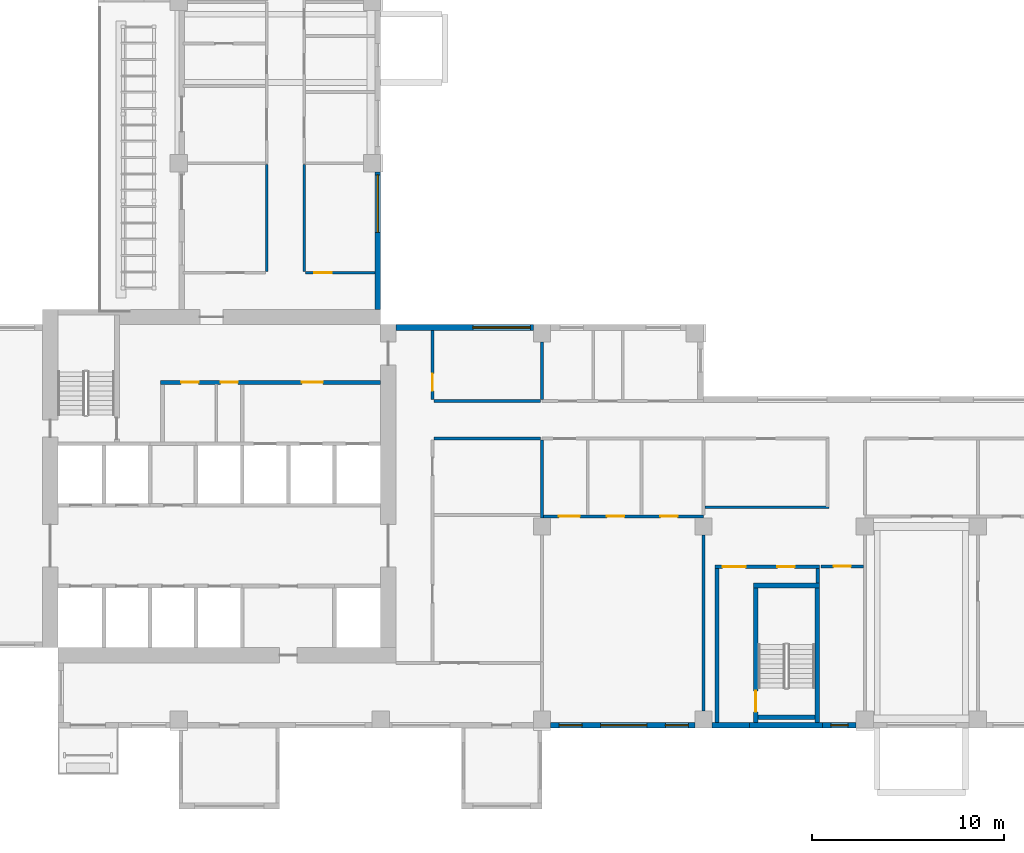
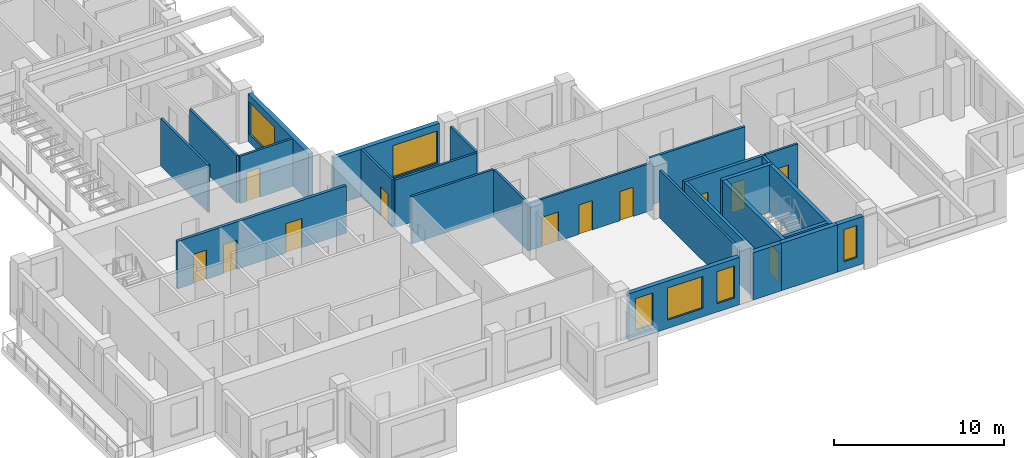
# One storey, part 6 of 14: 26 walls, 12 doors, 6 windows, 18 openings.
"""IFC4 building model written with IfcOpenShell, lengths in metres."""

from ifc_helpers import new_model, si_unit, direction, frame, frame_2d, origin, place, context, subcontext, project, spatial, rectangle, extrude, source, transform, mapped, material, layer, layer_set, type_object, element, fill, save


model = new_model("IFC4")

# Units and contexts
model_context = context("Model", 3, precision=1e-05, world=origin(), true_north=direction((0.0, 1.0)))
body_context = subcontext(model_context, "Body", "Model", "MODEL_VIEW")
ifc_project = project(units=[si_unit("LENGTHUNIT", "METRE"), si_unit("AREAUNIT", "SQUARE_METRE"), si_unit("VOLUMEUNIT", "CUBIC_METRE"), si_unit("PLANEANGLEUNIT", "RADIAN"), si_unit("MASSUNIT", "GRAM", prefix="KILO")], contexts=[model_context])

# Site, building, storey
site_placement = place(None, origin())
site = spatial("IfcSite", under=ifc_project, at=site_placement, CompositionType="ELEMENT")
building_placement = place(site_placement, origin())
building = spatial("IfcBuilding", under=site, at=building_placement, Name="Aurelian Terraces", CompositionType="ELEMENT")
storey_placement = place(building_placement, frame((0.0, 0.0, 185.4)))
storey = spatial("IfcBuildingStorey", under=building, at=storey_placement, Name="L40", CompositionType="ELEMENT", Elevation=185.4)

# Wall, opening, window
ifc_material_1 = material(Name="Terracotta rainscreen cladding", Category="masonry")
ifc_layer_1 = layer(ifc_material_1, 0.3)
ifc_layer_set_1 = layer_set([ifc_layer_1], Name="EW-300")
wall_type_1 = type_object("IfcWallType", Name="EW-300", PredefinedType="STANDARD", material=ifc_layer_set_1)
shared_shape_1 = source(origin(), body_context, "Body", "SweptSolid", [
    extrude(rectangle(XDim=7.15, YDim=0.3, at=frame_2d((3.575, 0.0))), origin(), (0.0, 0.0, 1.0), 3.4),
])
wall_1_placement = place(storey_placement, frame((28.95, 20.85, 0.0), z_axis=(0.0, 0.0, 1.0), x_axis=(-1.0, 0.0, 0.0)))
wall_1 = element("IfcWall", 1, at=wall_1_placement, inside=storey, type_object=wall_type_1, Name="External wall L40 F07.18", PredefinedType="STANDARD", context=body_context, shape_type="MappedRepresentation", body=[
    mapped(shared_shape_1, transform((0.0, 0.0, 0.0), scale=1.0)),
])
shared_shape_2 = source(origin(), body_context, "Body", "SweptSolid", [
    extrude(rectangle(XDim=3.0, YDim=2.3, at=frame_2d((1.5, 1.15))), frame((0.0, 0.16, 0.0), z_axis=(0.0, -1.0, 0.0), x_axis=(1.0, 0.0, 0.0)), (0.0, 0.0, 1.0), 0.32),
])
opening_1_placement = place(wall_1_placement, frame((0.15, 0.0, 0.6)))
opening_1 = element("IfcOpeningElement", 2, at=opening_1_placement, cuts=wall_1, Name="Opening W3023", PredefinedType="OPENING", context=body_context, shape_type="MappedRepresentation", body=[
    mapped(shared_shape_2, transform((0.0, 0.0, 0.0), scale=1.0)),
])
ifc_material_2 = material(Name="Clear glazing", Category="glass")
window_type_1 = type_object("IfcWindowType", Name="W-3000x2300", PartitioningType="SINGLE_PANEL", PredefinedType="WINDOW", material=ifc_material_2)
shared_shape_3 = source(origin(), body_context, "Body", "SweptSolid", [
    extrude(rectangle(XDim=3.0, YDim=2.3, at=frame_2d((1.5, 1.15))), frame((0.0, 0.03, 0.0), z_axis=(0.0, -1.0, 0.0), x_axis=(1.0, 0.0, 0.0)), (0.0, 0.0, 1.0), 0.06),
])
window_1_placement = place(opening_1_placement, origin())
window_1 = element("IfcWindow", 3, at=window_1_placement, inside=storey, type_object=window_type_1, Name="Window L40 L40-F07-18-0", OverallHeight=2.3, OverallWidth=3.0, PartitioningType="SINGLE_PANEL", PredefinedType="WINDOW", context=body_context, shape_type="MappedRepresentation", body=[
    mapped(shared_shape_3, transform((0.0, 0.0, 0.0), scale=1.0)),
])
fill(opening_1, window_1)

wall_2_placement = place(storey_placement, frame((20.85, 21.8, 0.0), z_axis=(0.0, 0.0, 1.0), x_axis=(0.0, 1.0, 0.0)))
wall_2 = element("IfcWall", 4, at=wall_2_placement, inside=storey, type_object=wall_type_1, Name="External wall L40 F08.19", PredefinedType="STANDARD", context=body_context, shape_type="MappedRepresentation", body=[
    mapped(shared_shape_1, transform((0.0, 0.0, 0.0), scale=1.0)),
])
opening_2_placement = place(wall_2_placement, frame((4.0, 0.0, 0.6)))
opening_2 = element("IfcOpeningElement", 5, at=opening_2_placement, cuts=wall_2, Name="Opening W3023", PredefinedType="OPENING", context=body_context, shape_type="MappedRepresentation", body=[
    mapped(shared_shape_2, transform((0.0, 0.0, 0.0), scale=1.0)),
])
window_2_placement = place(opening_2_placement, origin())
window_2 = element("IfcWindow", 6, at=window_2_placement, inside=storey, type_object=window_type_1, Name="Window L40 L40-F08-19-1", OverallHeight=2.3, OverallWidth=3.0, PartitioningType="SINGLE_PANEL", PredefinedType="WINDOW", context=body_context, shape_type="MappedRepresentation", body=[
    mapped(shared_shape_3, transform((0.0, 0.0, 0.0), scale=1.0)),
])
fill(opening_2, window_2)

# Wall, openings, windows
shared_shape_4 = source(origin(), body_context, "Body", "SweptSolid", [
    extrude(rectangle(XDim=7.5, YDim=0.3, at=frame_2d((3.75, 0.0))), origin(), (0.0, 0.0, 1.0), 3.4),
])
wall_3_placement = place(storey_placement, frame((29.85, 0.15, 0.0), z_axis=(0.0, 0.0, 1.0), x_axis=(1.0, 0.0, 0.0)))
wall_3 = element("IfcWall", 7, at=wall_3_placement, inside=storey, type_object=wall_type_1, Name="External wall L40 F01.5", PredefinedType="STANDARD", context=body_context, shape_type="MappedRepresentation", body=[
    mapped(shared_shape_4, transform((0.0, 0.0, 0.0), scale=1.0)),
])
shared_shape_5 = source(origin(), body_context, "Body", "SweptSolid", [
    extrude(rectangle(XDim=1.2, YDim=2.3, at=frame_2d((0.6, 1.15))), frame((0.0, 0.16, 0.0), z_axis=(0.0, -1.0, 0.0), x_axis=(1.0, 0.0, 0.0)), (0.0, 0.0, 1.0), 0.32),
])
opening_3_placement = place(wall_3_placement, frame((0.4375, 0.0, 0.6)))
opening_3 = element("IfcOpeningElement", 8, at=opening_3_placement, cuts=wall_3, Name="Opening W1223", PredefinedType="OPENING", context=body_context, shape_type="MappedRepresentation", body=[
    mapped(shared_shape_5, transform((0.0, 0.0, 0.0), scale=1.0)),
])
opening_4_placement = place(wall_3_placement, frame((5.9625, 0.0, 0.6)))
opening_4 = element("IfcOpeningElement", 9, at=opening_4_placement, cuts=wall_3, Name="Opening W1223", PredefinedType="OPENING", context=body_context, shape_type="MappedRepresentation", body=[
    mapped(shared_shape_5, transform((0.0, 0.0, 0.0), scale=1.0)),
])
shared_shape_6 = source(origin(), body_context, "Body", "SweptSolid", [
    extrude(rectangle(XDim=2.4, YDim=2.3, at=frame_2d((1.2, 1.15))), frame((0.0, 0.16, 0.0), z_axis=(0.0, -1.0, 0.0), x_axis=(1.0, 0.0, 0.0)), (0.0, 0.0, 1.0), 0.32),
])
opening_5_placement = place(wall_3_placement, frame((2.6, 0.0, 0.6)))
opening_5 = element("IfcOpeningElement", 10, at=opening_5_placement, cuts=wall_3, Name="Opening W2423", PredefinedType="OPENING", context=body_context, shape_type="MappedRepresentation", body=[
    mapped(shared_shape_6, transform((0.0, 0.0, 0.0), scale=1.0)),
])
window_type_2 = type_object("IfcWindowType", Name="W-1200x2300", PartitioningType="SINGLE_PANEL", PredefinedType="WINDOW", material=ifc_material_2)
shared_shape_7 = source(origin(), body_context, "Body", "SweptSolid", [
    extrude(rectangle(XDim=1.2, YDim=2.3, at=frame_2d((0.6, 1.15))), frame((0.0, 0.03, 0.0), z_axis=(0.0, -1.0, 0.0), x_axis=(1.0, 0.0, 0.0)), (0.0, 0.0, 1.0), 0.06),
])
window_3_placement = place(opening_3_placement, origin())
window_3 = element("IfcWindow", 11, at=window_3_placement, inside=storey, type_object=window_type_2, Name="Window L40 L40-F01-05-0", OverallHeight=2.3, OverallWidth=1.2, PartitioningType="SINGLE_PANEL", PredefinedType="WINDOW", context=body_context, shape_type="MappedRepresentation", body=[
    mapped(shared_shape_7, transform((0.0, 0.0, 0.0), scale=1.0)),
])
fill(opening_3, window_3)
window_4_placement = place(opening_4_placement, origin())
window_4 = element("IfcWindow", 12, at=window_4_placement, inside=storey, type_object=window_type_2, Name="Window L40 L40-F01-05-1", OverallHeight=2.3, OverallWidth=1.2, PartitioningType="SINGLE_PANEL", PredefinedType="WINDOW", context=body_context, shape_type="MappedRepresentation", body=[
    mapped(shared_shape_7, transform((0.0, 0.0, 0.0), scale=1.0)),
])
fill(opening_4, window_4)
window_type_3 = type_object("IfcWindowType", Name="W-2400x2300", PartitioningType="SINGLE_PANEL", PredefinedType="WINDOW", material=ifc_material_2)
shared_shape_8 = source(origin(), body_context, "Body", "SweptSolid", [
    extrude(rectangle(XDim=2.4, YDim=2.3, at=frame_2d((1.2, 1.15))), frame((0.0, 0.03, 0.0), z_axis=(0.0, -1.0, 0.0), x_axis=(1.0, 0.0, 0.0)), (0.0, 0.0, 1.0), 0.06),
])
window_5_placement = place(opening_5_placement, origin())
window_5 = element("IfcWindow", 13, at=window_5_placement, inside=storey, type_object=window_type_3, Name="Window L40 L40-F01-05-G0-21", OverallHeight=2.3, OverallWidth=2.4, PartitioningType="SINGLE_PANEL", PredefinedType="WINDOW", context=body_context, shape_type="MappedRepresentation", body=[
    mapped(shared_shape_8, transform((0.0, 0.0, 0.0), scale=1.0)),
])
fill(opening_5, window_5)

# Walls
shared_shape_9 = source(origin(), body_context, "Body", "SweptSolid", [
    extrude(rectangle(XDim=1.95, YDim=0.3, at=frame_2d((0.975, 0.0))), origin(), (0.0, 0.0, 1.0), 3.4),
])
wall_4_placement = place(storey_placement, frame((38.25, 0.15, 0.0), z_axis=(0.0, 0.0, 1.0), x_axis=(1.0, 0.0, 0.0)))
element("IfcWall", 14, at=wall_4_placement, inside=storey, type_object=wall_type_1, Name="External wall L40 F01.6", PredefinedType="STANDARD", context=body_context, shape_type="MappedRepresentation", body=[
    mapped(shared_shape_9, transform((0.0, 0.0, 0.0), scale=1.0)),
])
ifc_material_3 = material(Name="Concrete fc' 40 MPa", Category="concrete")
ifc_layer_2 = layer(ifc_material_3, 0.3)
ifc_layer_set_2 = layer_set([ifc_layer_2], Name="STAIR BAY WALL 300")
wall_type_2 = type_object("IfcWallType", Name="STAIR BAY WALL 300", PredefinedType="SOLIDWALL", material=ifc_layer_set_2)
shared_shape_10 = source(origin(), body_context, "Body", "SweptSolid", [
    extrude(rectangle(XDim=3.8, YDim=0.3, at=frame_2d((1.9, 0.0))), origin(), (0.0, 0.0, 1.0), 3.4),
])
wall_5_placement = place(storey_placement, frame((40.2, 0.15, 0.0), z_axis=(0.0, 0.0, 1.0), x_axis=(1.0, 0.0, 0.0)))
element("IfcWall", 15, at=wall_5_placement, inside=storey, type_object=wall_type_2, Name="Stair bay wall L40 F01.6", PredefinedType="SOLIDWALL", context=body_context, shape_type="MappedRepresentation", body=[
    mapped(shared_shape_10, transform((0.0, 0.0, 0.0), scale=1.0)),
])

# Wall, opening, window
shared_shape_11 = source(origin(), body_context, "Body", "SweptSolid", [
    extrude(rectangle(XDim=1.75, YDim=0.3, at=frame_2d((0.875, 0.0))), origin(), (0.0, 0.0, 1.0), 3.4),
])
wall_6_placement = place(storey_placement, frame((44.0, 0.15, 0.0), z_axis=(0.0, 0.0, 1.0), x_axis=(1.0, 0.0, 0.0)))
wall_6 = element("IfcWall", 16, at=wall_6_placement, inside=storey, type_object=wall_type_1, Name="External wall L40 F01.6", PredefinedType="STANDARD", context=body_context, shape_type="MappedRepresentation", body=[
    mapped(shared_shape_11, transform((0.0, 0.0, 0.0), scale=1.0)),
])
shared_shape_12 = source(origin(), body_context, "Body", "SweptSolid", [
    extrude(rectangle(XDim=0.9, YDim=2.3, at=frame_2d((0.45, 1.15))), frame((0.0, 0.16, 0.0), z_axis=(0.0, -1.0, 0.0), x_axis=(1.0, 0.0, 0.0)), (0.0, 0.0, 1.0), 0.32),
])
opening_6_placement = place(wall_6_placement, frame((0.425, 0.0, 0.6)))
opening_6 = element("IfcOpeningElement", 17, at=opening_6_placement, cuts=wall_6, Name="Opening W0923", PredefinedType="OPENING", context=body_context, shape_type="MappedRepresentation", body=[
    mapped(shared_shape_12, transform((0.0, 0.0, 0.0), scale=1.0)),
])
window_type_4 = type_object("IfcWindowType", Name="W-900x2300", PartitioningType="SINGLE_PANEL", PredefinedType="WINDOW", material=ifc_material_2)
shared_shape_13 = source(origin(), body_context, "Body", "SweptSolid", [
    extrude(rectangle(XDim=0.9, YDim=2.3, at=frame_2d((0.45, 1.15))), frame((0.0, 0.03, 0.0), z_axis=(0.0, -1.0, 0.0), x_axis=(1.0, 0.0, 0.0)), (0.0, 0.0, 1.0), 0.06),
])
window_6_placement = place(opening_6_placement, origin())
window_6 = element("IfcWindow", 18, at=window_6_placement, inside=storey, type_object=window_type_4, Name="Window L40 L40-F01-06-P2", OverallHeight=2.3, OverallWidth=0.9, PartitioningType="SINGLE_PANEL", PredefinedType="WINDOW", context=body_context, shape_type="MappedRepresentation", body=[
    mapped(shared_shape_13, transform((0.0, 0.0, 0.0), scale=1.0)),
])
fill(opening_6, window_6)

# Wall, opening, door
ifc_layer_3 = layer(ifc_material_3, 0.25)
ifc_layer_set_3 = layer_set([ifc_layer_3], Name="Stair enclosure wall 250")
wall_type_3 = type_object("IfcWallType", Name="Stair enclosure wall 250", PredefinedType="SOLIDWALL", material=ifc_layer_set_3)
shared_shape_14 = source(origin(), body_context, "Body", "SweptSolid", [
    extrude(rectangle(XDim=7.0, YDim=0.25, at=frame_2d((3.5, 0.0))), origin(), (0.0, 0.0, 1.0), 3.4),
])
wall_7_placement = place(storey_placement, frame((40.525, 0.3, 0.0), z_axis=(0.0, 0.0, 1.0), x_axis=(0.0, 1.0, 0.0)))
wall_7 = element("IfcWall", 19, at=wall_7_placement, inside=storey, type_object=wall_type_3, Name="L40 core wall ST-S2-W", PredefinedType="SOLIDWALL", context=body_context, shape_type="MappedRepresentation", body=[
    mapped(shared_shape_14, transform((0.0, 0.0, 0.0), scale=1.0)),
])
shared_shape_15 = source(origin(), body_context, "Body", "SweptSolid", [
    extrude(rectangle(XDim=1.1, YDim=2.1, at=frame_2d((0.55, 1.05))), frame((0.0, 0.135, 0.0), z_axis=(0.0, -1.0, 0.0), x_axis=(1.0, 0.0, 0.0)), (0.0, 0.0, 1.0), 0.27),
])
opening_7_placement = place(wall_7_placement, frame((0.55, 0.0, 0.0)))
opening_7 = element("IfcOpeningElement", 20, at=opening_7_placement, cuts=wall_7, Name="Opening 64315", PredefinedType="OPENING", context=body_context, shape_type="MappedRepresentation", body=[
    mapped(shared_shape_15, transform((0.0, 0.0, 0.0), scale=1.0)),
])
ifc_material_4 = material(Name="Steel door leaf", Category="steel")
door_type_1 = type_object("IfcDoorType", Name="Core fire door 1100x2100", OperationType="SINGLE_SWING_LEFT", PredefinedType="DOOR", material=ifc_material_4)
shared_shape_16 = source(origin(), body_context, "Body", "SweptSolid", [
    extrude(rectangle(XDim=1.1, YDim=2.1, at=frame_2d((0.55, 1.05))), frame((0.0, 0.025, 0.0), z_axis=(0.0, -1.0, 0.0), x_axis=(1.0, 0.0, 0.0)), (0.0, 0.0, 1.0), 0.05),
])
door_1_placement = place(opening_7_placement, origin())
door_1 = element("IfcDoor", 21, at=door_1_placement, inside=storey, type_object=door_type_1, Name="Stair door 64315", OperationType="SINGLE_SWING_LEFT", OverallHeight=2.1, OverallWidth=1.1, PredefinedType="DOOR", context=body_context, shape_type="MappedRepresentation", body=[
    mapped(shared_shape_16, transform((0.0, 0.0, 0.0), scale=1.0)),
])
fill(opening_7, door_1)

# Walls
wall_8_placement = place(storey_placement, frame((43.725, 0.3, 0.0), z_axis=(0.0, 0.0, 1.0), x_axis=(0.0, 1.0, 0.0)))
element("IfcWall", 22, at=wall_8_placement, inside=storey, type_object=wall_type_3, Name="L40 core wall ST-S2-E", PredefinedType="SOLIDWALL", context=body_context, shape_type="MappedRepresentation", body=[
    mapped(shared_shape_14, transform((0.0, 0.0, 0.0), scale=1.0)),
])
shared_shape_17 = source(origin(), body_context, "Body", "SweptSolid", [
    extrude(rectangle(XDim=3.45, YDim=0.25, at=frame_2d((1.725, 0.0))), origin(), (0.0, 0.0, 1.0), 3.4),
])
wall_9_placement = place(storey_placement, frame((40.4, 7.425, 0.0), z_axis=(0.0, 0.0, 1.0), x_axis=(1.0, 0.0, 0.0)))
element("IfcWall", 23, at=wall_9_placement, inside=storey, type_object=wall_type_3, Name="L40 core wall ST-S2-N", PredefinedType="SOLIDWALL", context=body_context, shape_type="MappedRepresentation", body=[
    mapped(shared_shape_17, transform((0.0, 0.0, 0.0), scale=1.0)),
])
shared_shape_18 = source(origin(), body_context, "Body", "SweptSolid", [
    extrude(rectangle(XDim=2.95, YDim=0.25, at=frame_2d((1.475, 0.0))), origin(), (0.0, 0.0, 1.0), 3.4),
])
wall_10_placement = place(storey_placement, frame((40.65, 0.575, 0.0), z_axis=(0.0, 0.0, 1.0), x_axis=(1.0, 0.0, 0.0)))
element("IfcWall", 24, at=wall_10_placement, inside=storey, type_object=wall_type_3, Name="L40 core wall ST-S2-SS", PredefinedType="SOLIDWALL", context=body_context, shape_type="MappedRepresentation", body=[
    mapped(shared_shape_18, transform((0.0, 0.0, 0.0), scale=1.0)),
])

# Wall, openings, doors
ifc_material_5 = material(Name="Gypsum board on steel studs", Category="steel")
ifc_layer_4 = layer(ifc_material_5, 0.2)
ifc_layer_set_4 = layer_set([ifc_layer_4], Name="Core partition 200")
wall_type_4 = type_object("IfcWallType", Name="Core partition 200", PredefinedType="PARTITIONING", material=ifc_layer_set_4)
shared_shape_19 = source(origin(), body_context, "Body", "SweptSolid", [
    extrude(rectangle(XDim=5.45, YDim=0.2, at=frame_2d((2.725, 0.0))), origin(), (0.0, 0.0, 1.0), 3.4),
])
wall_11_placement = place(storey_placement, frame((38.4, 8.4, 0.0), z_axis=(0.0, 0.0, 1.0), x_axis=(1.0, 0.0, 0.0)))
wall_11 = element("IfcWall", 25, at=wall_11_placement, inside=storey, type_object=wall_type_4, Name="L40 core wall ST-S2-BN", PredefinedType="PARTITIONING", context=body_context, shape_type="MappedRepresentation", body=[
    mapped(shared_shape_19, transform((0.0, 0.0, 0.0), scale=1.0)),
])
shared_shape_20 = source(origin(), body_context, "Body", "SweptSolid", [
    extrude(rectangle(XDim=1.2, YDim=2.1, at=frame_2d((0.6, 1.05))), frame((0.0, 0.11, 0.0), z_axis=(0.0, -1.0, 0.0), x_axis=(1.0, 0.0, 0.0)), (0.0, 0.0, 1.0), 0.22),
])
opening_8_placement = place(wall_11_placement, frame((0.4, 0.0, 0.0)))
opening_8 = element("IfcOpeningElement", 26, at=opening_8_placement, cuts=wall_11, Name="Opening 64316", PredefinedType="OPENING", context=body_context, shape_type="MappedRepresentation", body=[
    mapped(shared_shape_20, transform((0.0, 0.0, 0.0), scale=1.0)),
])
shared_shape_21 = source(origin(), body_context, "Body", "SweptSolid", [
    extrude(rectangle(XDim=0.9, YDim=2.1, at=frame_2d((0.45, 1.05))), frame((0.0, 0.11, 0.0), z_axis=(0.0, -1.0, 0.0), x_axis=(1.0, 0.0, 0.0)), (0.0, 0.0, 1.0), 0.22),
])
opening_9_placement = place(wall_11_placement, frame((3.25, 0.0, 0.0)))
opening_9 = element("IfcOpeningElement", 27, at=opening_9_placement, cuts=wall_11, Name="Opening 64317", PredefinedType="OPENING", context=body_context, shape_type="MappedRepresentation", body=[
    mapped(shared_shape_21, transform((0.0, 0.0, 0.0), scale=1.0)),
])
door_type_2 = type_object("IfcDoorType", Name="Core riser door 900x2100", OperationType="SINGLE_SWING_LEFT", PredefinedType="DOOR", material=ifc_material_4)
shared_shape_22 = source(origin(), body_context, "Body", "SweptSolid", [
    extrude(rectangle(XDim=0.9, YDim=2.1, at=frame_2d((0.45, 1.05))), frame((0.0, 0.025, 0.0), z_axis=(0.0, -1.0, 0.0), x_axis=(1.0, 0.0, 0.0)), (0.0, 0.0, 1.0), 0.05),
])
door_2_placement = place(opening_9_placement, origin())
door_2 = element("IfcDoor", 28, at=door_2_placement, inside=storey, type_object=door_type_2, Name="Riser door 64317", OperationType="SINGLE_SWING_LEFT", OverallHeight=2.1, OverallWidth=0.9, PredefinedType="DOOR", context=body_context, shape_type="MappedRepresentation", body=[
    mapped(shared_shape_22, transform((0.0, 0.0, 0.0), scale=1.0)),
])
fill(opening_9, door_2)
door_type_3 = type_object("IfcDoorType", Name="Core fire door 1200x2100 right", OperationType="SINGLE_SWING_RIGHT", PredefinedType="DOOR", material=ifc_material_4)
shared_shape_23 = source(origin(), body_context, "Body", "SweptSolid", [
    extrude(rectangle(XDim=1.2, YDim=2.1, at=frame_2d((0.6, 1.05))), frame((0.0, 0.025, 0.0), z_axis=(0.0, -1.0, 0.0), x_axis=(1.0, 0.0, 0.0)), (0.0, 0.0, 1.0), 0.05),
])
door_3_placement = place(opening_8_placement, origin())
door_3 = element("IfcDoor", 29, at=door_3_placement, inside=storey, type_object=door_type_3, Name="Vestibule door 64316", OperationType="SINGLE_SWING_RIGHT", OverallHeight=2.1, OverallWidth=1.2, PredefinedType="DOOR", context=body_context, shape_type="MappedRepresentation", body=[
    mapped(shared_shape_23, transform((0.0, 0.0, 0.0), scale=1.0)),
])
fill(opening_8, door_3)

# Wall
shared_shape_24 = source(origin(), body_context, "Body", "SweptSolid", [
    extrude(rectangle(XDim=0.75, YDim=0.2, at=frame_2d((0.375, 0.0))), origin(), (0.0, 0.0, 1.0), 3.4),
])
wall_12_placement = place(storey_placement, frame((43.75, 7.55, 0.0), z_axis=(0.0, 0.0, 1.0), x_axis=(0.0, 1.0, 0.0)))
element("IfcWall", 30, at=wall_12_placement, inside=storey, type_object=wall_type_4, Name="L40 core wall ST-S2-RE", PredefinedType="PARTITIONING", context=body_context, shape_type="MappedRepresentation", body=[
    mapped(shared_shape_24, transform((0.0, 0.0, 0.0), scale=1.0)),
])

# Wall, openings, doors
shared_shape_25 = source(origin(), body_context, "Body", "SweptSolid", [
    extrude(rectangle(XDim=11.45, YDim=0.2, at=frame_2d((5.725, 0.0))), origin(), (0.0, 0.0, 1.0), 3.4),
])
wall_13_placement = place(storey_placement, frame((9.55, 18.0, 0.0), z_axis=(0.0, 0.0, 1.0), x_axis=(1.0, 0.0, 0.0)))
wall_13 = element("IfcWall", 31, at=wall_13_placement, inside=storey, type_object=wall_type_4, Name="L40 core wall CP-NORTH", PredefinedType="PARTITIONING", context=body_context, shape_type="MappedRepresentation", body=[
    mapped(shared_shape_25, transform((0.0, 0.0, 0.0), scale=1.0)),
])
opening_10_placement = place(wall_13_placement, frame((1.075, 0.0, 0.0)))
opening_10 = element("IfcOpeningElement", 32, at=opening_10_placement, cuts=wall_13, Name="Opening 64312", PredefinedType="OPENING", context=body_context, shape_type="MappedRepresentation", body=[
    mapped(shared_shape_21, transform((0.0, 0.0, 0.0), scale=1.0)),
])
opening_11_placement = place(wall_13_placement, frame((3.125, 0.0, 0.0)))
opening_11 = element("IfcOpeningElement", 33, at=opening_11_placement, cuts=wall_13, Name="Opening 64313", PredefinedType="OPENING", context=body_context, shape_type="MappedRepresentation", body=[
    mapped(shared_shape_21, transform((0.0, 0.0, 0.0), scale=1.0)),
])
shared_shape_26 = source(origin(), body_context, "Body", "SweptSolid", [
    extrude(rectangle(XDim=1.1, YDim=2.1, at=frame_2d((0.55, 1.05))), frame((0.0, 0.11, 0.0), z_axis=(0.0, -1.0, 0.0), x_axis=(1.0, 0.0, 0.0)), (0.0, 0.0, 1.0), 0.22),
])
opening_12_placement = place(wall_13_placement, frame((7.35, 0.0, 0.0)))
opening_12 = element("IfcOpeningElement", 34, at=opening_12_placement, cuts=wall_13, Name="Opening 64314", PredefinedType="OPENING", context=body_context, shape_type="MappedRepresentation", body=[
    mapped(shared_shape_26, transform((0.0, 0.0, 0.0), scale=1.0)),
])
door_type_4 = type_object("IfcDoorType", Name="Core service door 900x2100 right", OperationType="SINGLE_SWING_RIGHT", PredefinedType="DOOR", material=ifc_material_4)
door_4_placement = place(opening_10_placement, origin())
door_4 = element("IfcDoor", 35, at=door_4_placement, inside=storey, type_object=door_type_4, Name="Room door 64312", OperationType="SINGLE_SWING_RIGHT", OverallHeight=2.1, OverallWidth=0.9, PredefinedType="DOOR", context=body_context, shape_type="MappedRepresentation", body=[
    mapped(shared_shape_22, transform((0.0, 0.0, 0.0), scale=1.0)),
])
fill(opening_10, door_4)
door_5_placement = place(opening_11_placement, origin())
door_5 = element("IfcDoor", 36, at=door_5_placement, inside=storey, type_object=door_type_2, Name="Room door 64313", OperationType="SINGLE_SWING_LEFT", OverallHeight=2.1, OverallWidth=0.9, PredefinedType="DOOR", context=body_context, shape_type="MappedRepresentation", body=[
    mapped(shared_shape_22, transform((0.0, 0.0, 0.0), scale=1.0)),
])
fill(opening_11, door_5)
door_type_5 = type_object("IfcDoorType", Name="Core fire door 1100x2100 right", OperationType="SINGLE_SWING_RIGHT", PredefinedType="DOOR", material=ifc_material_4)
door_6_placement = place(opening_12_placement, origin())
door_6 = element("IfcDoor", 37, at=door_6_placement, inside=storey, type_object=door_type_5, Name="Ff lobby door 64314", OperationType="SINGLE_SWING_RIGHT", OverallHeight=2.1, OverallWidth=1.1, PredefinedType="DOOR", context=body_context, shape_type="MappedRepresentation", body=[
    mapped(shared_shape_16, transform((0.0, 0.0, 0.0), scale=1.0)),
])
fill(opening_12, door_6)

# Walls
shared_shape_27 = source(origin(), body_context, "Body", "SweptSolid", [
    extrude(rectangle(XDim=8.0, YDim=0.2, at=frame_2d((4.0, 0.0))), origin(), (0.0, 0.0, 1.0), 3.4),
])
wall_14_placement = place(storey_placement, frame((38.5, 0.3, 0.0), z_axis=(0.0, 0.0, 1.0), x_axis=(0.0, 1.0, 0.0)))
element("IfcWall", 38, at=wall_14_placement, inside=storey, type_object=wall_type_4, Name="L40 core wall ST-S2-VW", PredefinedType="PARTITIONING", context=body_context, shape_type="MappedRepresentation", body=[
    mapped(shared_shape_27, transform((0.0, 0.0, 0.0), scale=1.0)),
])
ifc_layer_5 = layer(ifc_material_5, 0.15)
ifc_layer_set_5 = layer_set([ifc_layer_5], Name="Fire partition 150")
wall_type_5 = type_object("IfcWallType", Name="Fire partition 150", PredefinedType="PARTITIONING", material=ifc_layer_set_5)
shared_shape_28 = source(origin(), body_context, "Body", "SweptSolid", [
    extrude(rectangle(XDim=5.55, YDim=0.15, at=frame_2d((2.775, 0.0))), origin(), (0.0, 0.0, 1.0), 3.4),
])
for number, where, z_axis, x_axis, name in (
    (39, (29.325, 15.075, 0.0), (0.0, 0.0, 1.0), (-1.0, 0.0, 0.0), "Corridor wall"),
    (40, (23.775, 17.025, 0.0), (0.0, 0.0, 1.0), (1.0, 0.0, 0.0), "Corridor wall"),
    (41, (15.075, 23.775, 0.0), (0.0, 0.0, 1.0), (0.0, 1.0, 0.0), "Corridor wall"),
    (42, (17.025, 29.325, 0.0), (0.0, 0.0, 1.0), (0.0, -1.0, 0.0), "Corridor wall"),
):
    element("IfcWall", number, at=place(storey_placement, frame(where, z_axis=z_axis, x_axis=x_axis)), inside=storey, type_object=wall_type_5, Name=name, PredefinedType="PARTITIONING", context=body_context, shape_type="MappedRepresentation", body=[
        mapped(shared_shape_28, transform((0.0, 0.0, 0.0), scale=1.0)),
    ])
ifc_layer_6 = layer(ifc_material_5, 0.15)
ifc_layer_set_6 = layer_set([ifc_layer_6], Name="Partition 150")
wall_type_6 = type_object("IfcWallType", Name="Partition 150", PredefinedType="PARTITIONING", material=ifc_layer_set_6)
shared_shape_29 = source(origin(), body_context, "Body", "SweptSolid", [
    extrude(rectangle(XDim=6.45, YDim=0.15, at=frame_2d((3.225, 0.0))), origin(), (0.0, 0.0, 1.0), 3.4),
])
wall_15_placement = place(storey_placement, frame((37.875, 11.5, 0.0), z_axis=(0.0, 0.0, 1.0), x_axis=(1.0, 0.0, 0.0)))
element("IfcWall", 43, at=wall_15_placement, inside=storey, type_object=wall_type_6, Name="Partition", PredefinedType="PARTITIONING", context=body_context, shape_type="MappedRepresentation", body=[
    mapped(shared_shape_29, transform((0.0, 0.0, 0.0), scale=1.0)),
])
shared_shape_30 = source(origin(), body_context, "Body", "SweptSolid", [
    extrude(rectangle(XDim=9.152, YDim=0.15, at=frame_2d((4.576, 0.0))), origin(), (0.0, 0.0, 1.0), 3.4),
])
wall_16_placement = place(storey_placement, frame((37.8, 0.899, 0.0), z_axis=(0.0, 0.0, 1.0), x_axis=(0.0, 1.0, 0.0)))
element("IfcWall", 44, at=wall_16_placement, inside=storey, type_object=wall_type_5, Name="Party wall", PredefinedType="PARTITIONING", context=body_context, shape_type="MappedRepresentation", body=[
    mapped(shared_shape_30, transform((0.0, 0.0, 0.0), scale=1.0)),
])

# Wall, opening, door
shared_shape_31 = source(origin(), body_context, "Body", "SweptSolid", [
    extrude(rectangle(XDim=3.6, YDim=0.15, at=frame_2d((1.8, 0.0))), origin(), (0.0, 0.0, 1.0), 3.4),
])
wall_17_placement = place(storey_placement, frame((23.7, 20.7, 0.0), z_axis=(0.0, 0.0, 1.0), x_axis=(0.0, -1.0, 0.0)))
wall_17 = element("IfcWall", 45, at=wall_17_placement, inside=storey, type_object=wall_type_6, Name="Partition", PredefinedType="PARTITIONING", context=body_context, shape_type="MappedRepresentation", body=[
    mapped(shared_shape_31, transform((0.0, 0.0, 0.0), scale=1.0)),
])
shared_shape_32 = source(origin(), body_context, "Body", "SweptSolid", [
    extrude(rectangle(XDim=0.9, YDim=2.1, at=frame_2d((0.45, 1.05))), frame((0.0, 0.085, 0.0), z_axis=(0.0, -1.0, 0.0), x_axis=(1.0, 0.0, 0.0)), (0.0, 0.0, 1.0), 0.17),
])
opening_13_placement = place(wall_17_placement, frame((2.25, 0.0, 0.0)))
opening_13 = element("IfcOpeningElement", 46, at=opening_13_placement, cuts=wall_17, Name="Opening 740003", PredefinedType="OPENING", context=body_context, shape_type="MappedRepresentation", body=[
    mapped(shared_shape_32, transform((0.0, 0.0, 0.0), scale=1.0)),
])
ifc_material_6 = material(Name="Timber door leaf", Category="wood")
door_type_6 = type_object("IfcDoorType", Name="Room door 900x2100 right", OperationType="SINGLE_SWING_RIGHT", PredefinedType="DOOR", material=ifc_material_6)
door_7_placement = place(opening_13_placement, origin())
door_7 = element("IfcDoor", 47, at=door_7_placement, inside=storey, type_object=door_type_6, Name="Door 740003", OperationType="SINGLE_SWING_RIGHT", OverallHeight=2.1, OverallWidth=0.9, PredefinedType="DOOR", context=body_context, shape_type="MappedRepresentation", body=[
    mapped(shared_shape_22, transform((0.0, 0.0, 0.0), scale=1.0)),
])
fill(opening_13, door_7)

wall_18_placement = place(storey_placement, frame((17.1, 23.7, 0.0), z_axis=(0.0, 0.0, 1.0), x_axis=(1.0, 0.0, 0.0)))
wall_18 = element("IfcWall", 48, at=wall_18_placement, inside=storey, type_object=wall_type_6, Name="Partition", PredefinedType="PARTITIONING", context=body_context, shape_type="MappedRepresentation", body=[
    mapped(shared_shape_31, transform((0.0, 0.0, 0.0), scale=1.0)),
])
opening_14_placement = place(wall_18_placement, frame((0.45, 0.0, 0.0)))
opening_14 = element("IfcOpeningElement", 49, at=opening_14_placement, cuts=wall_18, Name="Opening 740021", PredefinedType="OPENING", context=body_context, shape_type="MappedRepresentation", body=[
    mapped(shared_shape_32, transform((0.0, 0.0, 0.0), scale=1.0)),
])
door_8_placement = place(opening_14_placement, origin())
door_8 = element("IfcDoor", 50, at=door_8_placement, inside=storey, type_object=door_type_6, Name="Door 740021", OperationType="SINGLE_SWING_RIGHT", OverallHeight=2.1, OverallWidth=0.9, PredefinedType="DOOR", context=body_context, shape_type="MappedRepresentation", body=[
    mapped(shared_shape_22, transform((0.0, 0.0, 0.0), scale=1.0)),
])
fill(opening_14, door_8)

# Wall, openings, doors
shared_shape_33 = source(origin(), body_context, "Body", "SweptSolid", [
    extrude(rectangle(XDim=8.4, YDim=0.15, at=frame_2d((4.2, 0.0))), origin(), (0.0, 0.0, 1.0), 3.4),
])
wall_19_placement = place(storey_placement, frame((37.8, 11.025, 0.0), z_axis=(0.0, 0.0, 1.0), x_axis=(-1.0, 0.0, 0.0)))
wall_19 = element("IfcWall", 51, at=wall_19_placement, inside=storey, type_object=wall_type_6, Name="Partition", PredefinedType="PARTITIONING", context=body_context, shape_type="MappedRepresentation", body=[
    mapped(shared_shape_33, transform((0.0, 0.0, 0.0), scale=1.0)),
])
shared_shape_34 = source(origin(), body_context, "Body", "SweptSolid", [
    extrude(rectangle(XDim=1.1, YDim=2.1, at=frame_2d((0.55, 1.05))), frame((0.0, 0.085, 0.0), z_axis=(0.0, -1.0, 0.0), x_axis=(1.0, 0.0, 0.0)), (0.0, 0.0, 1.0), 0.17),
])
opening_15_placement = place(wall_19_placement, frame((6.424, 0.0, 0.0)))
opening_15 = element("IfcOpeningElement", 52, at=opening_15_placement, cuts=wall_19, Name="Opening 740008", PredefinedType="OPENING", context=body_context, shape_type="MappedRepresentation", body=[
    mapped(shared_shape_34, transform((0.0, 0.0, 0.0), scale=1.0)),
])
opening_16_placement = place(wall_19_placement, frame((4.1201, 0.0, 0.0)))
opening_16 = element("IfcOpeningElement", 53, at=opening_16_placement, cuts=wall_19, Name="Opening 740009", PredefinedType="OPENING", context=body_context, shape_type="MappedRepresentation", body=[
    mapped(shared_shape_32, transform((0.0, 0.0, 0.0), scale=1.0)),
])
opening_17_placement = place(wall_19_placement, frame((1.3462, 0.0, 0.0)))
opening_17 = element("IfcOpeningElement", 54, at=opening_17_placement, cuts=wall_19, Name="Opening 740010", PredefinedType="OPENING", context=body_context, shape_type="MappedRepresentation", body=[
    mapped(shared_shape_32, transform((0.0, 0.0, 0.0), scale=1.0)),
])
door_9_placement = place(opening_16_placement, origin())
door_9 = element("IfcDoor", 55, at=door_9_placement, inside=storey, type_object=door_type_6, Name="Door 740009", OperationType="SINGLE_SWING_RIGHT", OverallHeight=2.1, OverallWidth=0.9, PredefinedType="DOOR", context=body_context, shape_type="MappedRepresentation", body=[
    mapped(shared_shape_22, transform((0.0, 0.0, 0.0), scale=1.0)),
])
fill(opening_16, door_9)
door_type_7 = type_object("IfcDoorType", Name="Room door 900x2100 left", OperationType="SINGLE_SWING_LEFT", PredefinedType="DOOR", material=ifc_material_6)
door_10_placement = place(opening_17_placement, origin())
door_10 = element("IfcDoor", 56, at=door_10_placement, inside=storey, type_object=door_type_7, Name="Door 740010", OperationType="SINGLE_SWING_LEFT", OverallHeight=2.1, OverallWidth=0.9, PredefinedType="DOOR", context=body_context, shape_type="MappedRepresentation", body=[
    mapped(shared_shape_22, transform((0.0, 0.0, 0.0), scale=1.0)),
])
fill(opening_17, door_10)
door_type_8 = type_object("IfcDoorType", Name="Room door 1100x2100 left", OperationType="SINGLE_SWING_LEFT", PredefinedType="DOOR", material=ifc_material_6)
door_11_placement = place(opening_15_placement, origin())
door_11 = element("IfcDoor", 57, at=door_11_placement, inside=storey, type_object=door_type_8, Name="Door 740008", OperationType="SINGLE_SWING_LEFT", OverallHeight=2.1, OverallWidth=1.1, PredefinedType="DOOR", context=body_context, shape_type="MappedRepresentation", body=[
    mapped(shared_shape_16, transform((0.0, 0.0, 0.0), scale=1.0)),
])
fill(opening_15, door_11)

# Walls
shared_shape_35 = source(origin(), body_context, "Body", "SweptSolid", [
    extrude(rectangle(XDim=4.051, YDim=0.15, at=frame_2d((2.0255, 0.0))), origin(), (0.0, 0.0, 1.0), 3.4),
])
wall_20_placement = place(storey_placement, frame((29.4, 10.949, 0.0), z_axis=(0.0, 0.0, 1.0), x_axis=(0.0, 1.0, 0.0)))
element("IfcWall", 58, at=wall_20_placement, inside=storey, type_object=wall_type_6, Name="Partition", PredefinedType="PARTITIONING", context=body_context, shape_type="MappedRepresentation", body=[
    mapped(shared_shape_35, transform((0.0, 0.0, 0.0), scale=1.0)),
])
shared_shape_36 = source(origin(), body_context, "Body", "SweptSolid", [
    extrude(rectangle(XDim=3.001, YDim=0.15, at=frame_2d((1.5005, 0.0))), origin(), (0.0, 0.0, 1.0), 3.4),
])
wall_21_placement = place(storey_placement, frame((29.4, 17.1, 0.0), z_axis=(0.0, 0.0, 1.0), x_axis=(0.0, 1.0, 0.0)))
element("IfcWall", 59, at=wall_21_placement, inside=storey, type_object=wall_type_6, Name="Partition", PredefinedType="PARTITIONING", context=body_context, shape_type="MappedRepresentation", body=[
    mapped(shared_shape_36, transform((0.0, 0.0, 0.0), scale=1.0)),
])

# Wall, opening, door
shared_shape_37 = source(origin(), body_context, "Body", "SweptSolid", [
    extrude(rectangle(XDim=2.2, YDim=0.15, at=frame_2d((1.1, 0.0))), origin(), (0.0, 0.0, 1.0), 3.4),
])
wall_22_placement = place(storey_placement, frame((46.125, 8.425, 0.0), z_axis=(0.0, 0.0, 1.0), x_axis=(-1.0, 0.0, 0.0)))
wall_22 = element("IfcWall", 60, at=wall_22_placement, inside=storey, type_object=wall_type_6, Name="Partition", PredefinedType="PARTITIONING", context=body_context, shape_type="MappedRepresentation", body=[
    mapped(shared_shape_37, transform((0.0, 0.0, 0.0), scale=1.0)),
])
opening_18_placement = place(wall_22_placement, frame((0.65, 0.0, 0.0)))
opening_18 = element("IfcOpeningElement", 61, at=opening_18_placement, cuts=wall_22, Name="Opening 740006", PredefinedType="OPENING", context=body_context, shape_type="MappedRepresentation", body=[
    mapped(shared_shape_32, transform((0.0, 0.0, 0.0), scale=1.0)),
])
door_12_placement = place(opening_18_placement, origin())
door_12 = element("IfcDoor", 62, at=door_12_placement, inside=storey, type_object=door_type_7, Name="Door 740006", OperationType="SINGLE_SWING_LEFT", OverallHeight=2.1, OverallWidth=0.9, PredefinedType="DOOR", context=body_context, shape_type="MappedRepresentation", body=[
    mapped(shared_shape_22, transform((0.0, 0.0, 0.0), scale=1.0)),
])
fill(opening_18, door_12)

save(model, "model.ifc")
